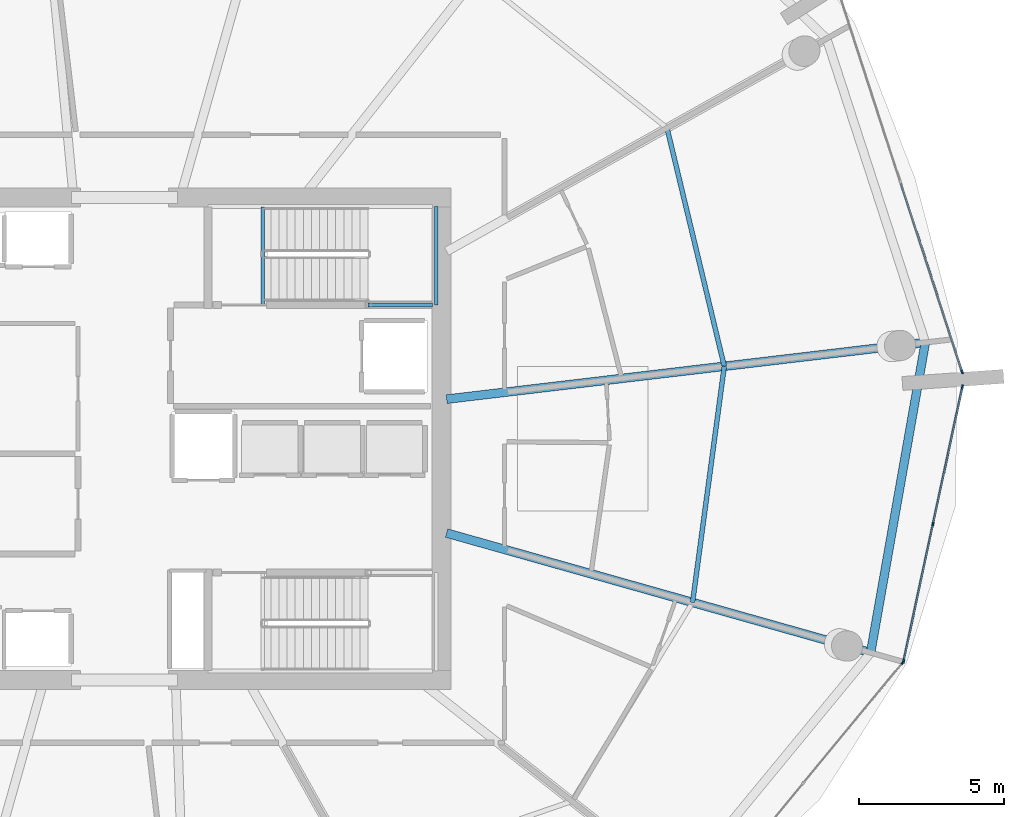
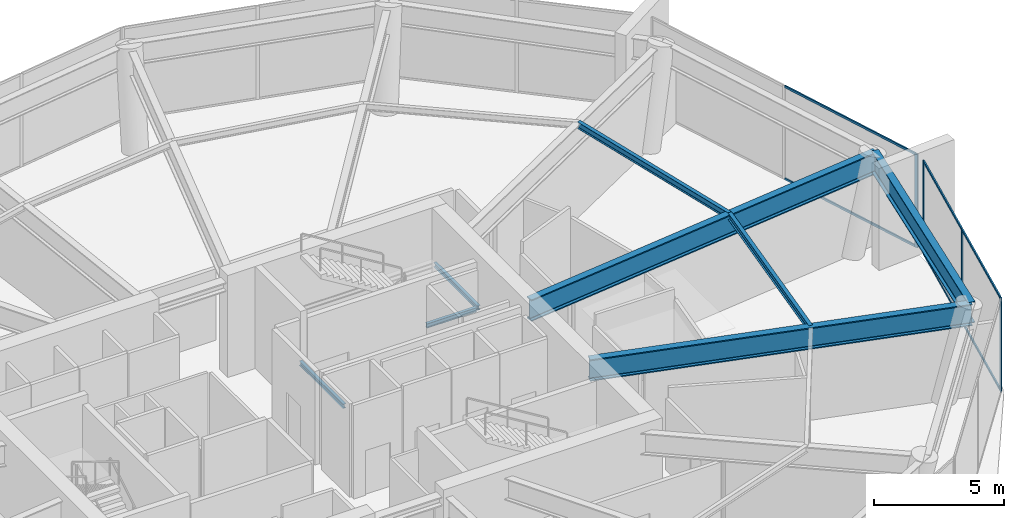
# One storey, part 10 of 22: 11 members, 8 beams, 3 elements without a shape of their own.
"""IFC4 building model written with IfcOpenShell, lengths in metres."""

from ifc_helpers import new_model, si_unit, direction, frame, origin, origin_2d, place, context, subcontext, project, spatial, rectangle, i_section, extrude, material, layer, layer_set, material_profile, profile_set, type_object, element, aggregate, save


model = new_model("IFC4")

# Units and contexts
model_context = context("Model", 3, precision=1e-05, world=origin(), true_north=direction((0.0, 1.0)))
body_context = subcontext(model_context, "Body", "Model", "MODEL_VIEW")
ifc_project = project(units=[si_unit("LENGTHUNIT", "METRE"), si_unit("AREAUNIT", "SQUARE_METRE"), si_unit("VOLUMEUNIT", "CUBIC_METRE"), si_unit("PLANEANGLEUNIT", "RADIAN"), si_unit("MASSUNIT", "GRAM", prefix="KILO")], contexts=[model_context])

# Site, building, storey
site_placement = place(None, origin())
site = spatial("IfcSite", under=ifc_project, at=site_placement, CompositionType="ELEMENT")
building_placement = place(site_placement, origin())
building = spatial("IfcBuilding", under=site, at=building_placement, Name="Kazma Halo Residences", CompositionType="ELEMENT")
storey_placement = place(building_placement, frame((0.0, 0.0, 231.89990234375)))
storey = spatial("IfcBuildingStorey", under=building, at=storey_placement, Name="L58", CompositionType="ELEMENT", Elevation=231.89990234375)

# Beams
ifc_material_1 = material(Name="Steel S355", Category="steel")
ifc_material_profile_1 = material_profile(ifc_material_1, i_section(OverallWidth=0.1650390625, OverallDepth=0.31005859375, WebThickness=0.005859375, FlangeThickness=0.009765625, FilletRadius=0.011962890625, at=origin_2d()), Name="W310x38.7")
ifc_profile_set_1 = profile_set([ifc_material_profile_1], Name="Steel S355")
beam_type_1 = type_object("IfcBeamType", Name="BM-SEC-W310B", PredefinedType="JOIST", material=ifc_profile_set_1)
beam_1_placement = place(storey_placement, frame((68.041748046875, 36.34765625, 4.2451171875), z_axis=(0.13314913066, 0.991096014019, 0.0), x_axis=(-0.991096014019, 0.13314913066, 0.0)))
element("IfcBeam", 1, at=beam_1_placement, inside=storey, type_object=beam_type_1, Name="L58 circumferential floor joist 15", PredefinedType="JOIST", context=body_context, shape_type="SweptSolid", body=[
    extrude(i_section(OverallWidth=0.1650390625, OverallDepth=0.31005859375, WebThickness=0.005859375, FlangeThickness=0.009765625, FilletRadius=0.011962890625, at=origin_2d()), origin(), (0.0, 0.0, 1.0), 8.227294921875),
])
beam_2_placement = place(storey_placement, frame((69.13720703125, 44.501708984375, 4.2451171875), z_axis=(-0.23365336492, 0.97231996023, 0.0), x_axis=(-0.97231996023, -0.23365336492, 0.0)))
element("IfcBeam", 2, at=beam_2_placement, inside=storey, type_object=beam_type_1, Name="L58 circumferential floor joist 16", PredefinedType="JOIST", context=body_context, shape_type="SweptSolid", body=[
    extrude(i_section(OverallWidth=0.1650390625, OverallDepth=0.31005859375, WebThickness=0.005859375, FlangeThickness=0.009765625, FilletRadius=0.011962890625, at=origin_2d()), origin(), (0.0, 0.0, 1.0), 8.46240234375),
])
ifc_material_profile_2 = material_profile(ifc_material_1, i_section(OverallWidth=0.302001953125, OverallDepth=1.01806640625, WebThickness=0.021484375, FlangeThickness=0.049072265625, FilletRadius=0.028076171875, at=origin_2d()), Name="W1000x443")
ifc_profile_set_2 = profile_set([ifc_material_profile_2], Name="Steel S355")
beam_type_2 = type_object("IfcBeamType", Name="BM-TRANS-W1000A", PredefinedType="BEAM", material=ifc_profile_set_2)
beam_3_placement = place(storey_placement, frame((59.550048828125, 38.74267578125, 3.89111328125), z_axis=(0.962451073676, -0.271455209528, 0.0), x_axis=(0.271455209528, 0.962451073676, 0.0)))
element("IfcBeam", 3, at=beam_3_placement, inside=storey, type_object=beam_type_2, Name="L58 podium radial transfer girder 15", PredefinedType="BEAM", context=body_context, shape_type="SweptSolid", body=[
    extrude(i_section(OverallWidth=0.302001953125, OverallDepth=1.01806640625, WebThickness=0.021484375, FlangeThickness=0.049072265625, FilletRadius=0.028076171875, at=origin_2d()), origin(), (0.0, 0.0, 1.0), 15.212158203125),
])
beam_4_placement = place(storey_placement, frame((59.550048828125, 43.366943359375, 3.89111328125), z_axis=(0.993067455077, 0.117545861975, 0.0), x_axis=(-0.117545861975, 0.993067455077, 0.0)))
element("IfcBeam", 4, at=beam_4_placement, inside=storey, type_object=beam_type_2, Name="L58 podium radial transfer girder 16", PredefinedType="BEAM", context=body_context, shape_type="SweptSolid", body=[
    extrude(i_section(OverallWidth=0.302001953125, OverallDepth=1.01806640625, WebThickness=0.021484375, FlangeThickness=0.049072265625, FilletRadius=0.028076171875, at=origin_2d()), origin(), (0.0, 0.0, 1.0), 16.64501953125),
])
ifc_material_profile_3 = material_profile(ifc_material_1, i_section(OverallWidth=0.300048828125, OverallDepth=1.0, WebThickness=0.01904296875, FlangeThickness=0.0400390625, FilletRadius=0.02587890625, at=origin_2d()), Name="W1000x371")
ifc_profile_set_3 = profile_set([ifc_material_profile_3], Name="Steel S355")
beam_type_3 = type_object("IfcBeamType", Name="BM-TRANS-W1000B", PredefinedType="BEAM", material=ifc_profile_set_3)
beam_5_placement = place(storey_placement, frame((74.19091796875, 34.61328125, 3.900146484375), z_axis=(0.173663672311, 0.984805020763, 0.0), x_axis=(-0.984805020763, 0.173663672311, 0.0)))
element("IfcBeam", 5, at=beam_5_placement, inside=storey, type_object=beam_type_3, Name="L58 perimeter ring beam 15", PredefinedType="BEAM", context=body_context, shape_type="SweptSolid", body=[
    extrude(i_section(OverallWidth=0.300048828125, OverallDepth=1.0, WebThickness=0.01904296875, FlangeThickness=0.0400390625, FilletRadius=0.02587890625, at=origin_2d()), origin(), (0.0, 0.0, 1.0), 10.87548828125),
])
ifc_material_profile_4 = material_profile(ifc_material_1, i_section(OverallWidth=0.133056640625, OverallDepth=0.20703125, WebThickness=0.005859375, FlangeThickness=0.00830078125, FilletRadius=0.010009765625, at=origin_2d()), Name="W200x26.6")
ifc_profile_set_4 = profile_set([ifc_material_profile_4], Name="Steel S355")
beam_type_4 = type_object("IfcBeamType", Name="BM-TRIM-W200", PredefinedType="BEAM", material=ifc_profile_set_4)
beam_6_placement = place(storey_placement, frame((53.199951171875, 46.6201171875, -0.429931640625), z_axis=(0.0, 1.0, 0.0), x_axis=(-1.0, 0.0, 0.0)))
element("IfcBeam", 6, at=beam_6_placement, inside=storey, type_object=beam_type_4, Name="L58 ST-02 floor landing support beam", PredefinedType="BEAM", context=body_context, shape_type="SweptSolid", body=[
    extrude(i_section(OverallWidth=0.133056640625, OverallDepth=0.20703125, WebThickness=0.005859375, FlangeThickness=0.00830078125, FilletRadius=0.010009765625, at=origin_2d()), origin(), (0.0, 0.0, 1.0), 3.3798828125),
])
beam_7_placement = place(storey_placement, frame((56.840087890625, 46.6201171875, 2.09521484375), z_axis=(1.0, 0.0, 0.0), x_axis=(0.0, 1.0, 0.0)))
element("IfcBeam", 7, at=beam_7_placement, inside=storey, type_object=beam_type_4, Name="L58 ST-02 landing south wall ledger", PredefinedType="BEAM", context=body_context, shape_type="SweptSolid", body=[
    extrude(i_section(OverallWidth=0.133056640625, OverallDepth=0.20703125, WebThickness=0.005859375, FlangeThickness=0.00830078125, FilletRadius=0.010009765625, at=origin_2d()), origin(), (0.0, 0.0, 1.0), 2.22998046875),
])
beam_8_placement = place(storey_placement, frame((59.18994140625, 46.6201171875, 2.09521484375), z_axis=(0.0, 1.0, 0.0), x_axis=(-1.0, 0.0, 0.0)))
element("IfcBeam", 8, at=beam_8_placement, inside=storey, type_object=beam_type_4, Name="L58 ST-02 landing end wall ledger", PredefinedType="BEAM", context=body_context, shape_type="SweptSolid", body=[
    extrude(i_section(OverallWidth=0.133056640625, OverallDepth=0.20703125, WebThickness=0.005859375, FlangeThickness=0.00830078125, FilletRadius=0.010009765625, at=origin_2d()), origin(), (0.0, 0.0, 1.0), 3.39990234375),
])

# Curtain wall, member
ifc_material_2 = material(Name="Aluminium AW-6063 T6 and Triple-Silver Low-E Glass", Category="aluminium")
ifc_layer = layer(ifc_material_2, 0.139892578125)
ifc_layer_set = layer_set([ifc_layer], Name="Aluminium AW-6063 T6 and Triple-Silver Low-E Glass")
curtain_wall_type = type_object("IfcCurtainWallType", Name="CW-SYS-5", PredefinedType="NOTDEFINED", material=ifc_layer_set)
curtain_wall_1_placement = place(storey_placement, origin())
curtain_wall_1 = element("IfcCurtainWall", 9, at=curtain_wall_1_placement, inside=storey, type_object=curtain_wall_type, Name="L58 unitised curtain wall B14", PredefinedType="NOTDEFINED")
ifc_material_3 = material(Name="Aluminium AW-6063 T6", Category="aluminium")
ifc_material_profile_5 = material_profile(ifc_material_3, rectangle(XDim=0.06005859375, YDim=0.139892578125, at=origin_2d()), Name="CWM-60x140")
ifc_profile_set_5 = profile_set([ifc_material_profile_5], Name="Aluminium AW-6063 T6")
member_type_1 = type_object("IfcMemberType", Name="CW-SYS-5-MUL", PredefinedType="MULLION", material=ifc_profile_set_5)
member_1_placement = place(storey_placement, frame((75.302978515625, 34.271240234375, 0.0), z_axis=(0.0, 0.0, 1.0), x_axis=(-0.77109198952, 0.636723757762, 0.0)))
member_1 = element("IfcMember", 10, at=member_1_placement, type_object=member_type_1, Name="CWS-5 mullion 3", PredefinedType="MULLION", context=body_context, shape_type="SweptSolid", body=[
    extrude(rectangle(XDim=0.06005859375, YDim=0.139892578125, at=origin_2d()), origin(), (0.0, 0.0, 1.0), 4.400146484375),
])
aggregate(curtain_wall_1, [member_1])

# Curtain wall, members
curtain_wall_2_placement = place(storey_placement, origin())
curtain_wall_2 = element("IfcCurtainWall", 11, at=curtain_wall_2_placement, inside=storey, type_object=curtain_wall_type, Name="L58 unitised curtain wall B15", PredefinedType="NOTDEFINED")
member_2_placement = place(storey_placement, frame((75.328369140625, 34.32373046875, 0.0), z_axis=(0.0, 0.0, 1.0), x_axis=(-0.977772667302, 0.209667858949, 0.0)))
member_2 = element("IfcMember", 12, at=member_2_placement, type_object=member_type_1, Name="CWS-5 mullion 1", PredefinedType="MULLION", context=body_context, shape_type="SweptSolid", body=[
    extrude(rectangle(XDim=0.06005859375, YDim=0.139892578125, at=origin_2d()), origin(), (0.0, 0.0, 1.0), 4.400146484375),
])
member_3_placement = place(storey_placement, frame((76.343505859375, 39.05810546875, 0.0), z_axis=(0.0, 0.0, 1.0), x_axis=(-0.977772667302, 0.209667858949, 0.0)))
member_3 = element("IfcMember", 13, at=member_3_placement, type_object=member_type_1, Name="CWS-5 mullion 2", PredefinedType="MULLION", context=body_context, shape_type="SweptSolid", body=[
    extrude(rectangle(XDim=0.06005859375, YDim=0.139892578125, at=origin_2d()), origin(), (0.0, 0.0, 1.0), 4.400146484375),
])
member_4_placement = place(storey_placement, frame((77.35888671875, 43.79248046875, 0.0), z_axis=(0.0, 0.0, 1.0), x_axis=(-0.977772667302, 0.209667858949, 0.0)))
member_4 = element("IfcMember", 14, at=member_4_placement, type_object=member_type_1, Name="CWS-5 mullion 3", PredefinedType="MULLION", context=body_context, shape_type="SweptSolid", body=[
    extrude(rectangle(XDim=0.06005859375, YDim=0.139892578125, at=origin_2d()), origin(), (0.0, 0.0, 1.0), 4.400146484375),
])

# Curtain wall, member
curtain_wall_3_placement = place(storey_placement, origin())
curtain_wall_3 = element("IfcCurtainWall", 15, at=curtain_wall_3_placement, inside=storey, type_object=curtain_wall_type, Name="L58 unitised curtain wall B16", PredefinedType="NOTDEFINED")
member_5_placement = place(storey_placement, frame((77.34814453125, 44.313232421875, 0.0), z_axis=(0.0, 0.0, 1.0), x_axis=(-0.951055583158, -0.309019866261, 0.0)))
member_5 = element("IfcMember", 16, at=member_5_placement, type_object=member_type_1, Name="CWS-5 mullion 1", PredefinedType="MULLION", context=body_context, shape_type="SweptSolid", body=[
    extrude(rectangle(XDim=0.06005859375, YDim=0.139892578125, at=origin_2d()), origin(), (0.0, 0.0, 1.0), 4.400146484375),
])

# Member
ifc_material_profile_6 = material_profile(ifc_material_3, rectangle(XDim=0.06005859375, YDim=0.10498046875, at=origin_2d()), Name="CWT-60x105")
ifc_profile_set_6 = profile_set([ifc_material_profile_6], Name="Aluminium AW-6063 T6")
member_type_2 = type_object("IfcMemberType", Name="CW-SYS-5-TRN", PredefinedType="USERDEFINED", material=ifc_profile_set_6)
member_6_placement = place(storey_placement, frame((75.334716796875, 34.35302734375, 0.030029296875), z_axis=(0.209675521922, 0.977771024068, 0.0), x_axis=(-0.977771024068, 0.209675521922, 0.0)))
member_6 = element("IfcMember", 17, at=member_6_placement, type_object=member_type_2, Name="CWS-5 transom 1.1", ObjectType="TRANSOM", PredefinedType="USERDEFINED", context=body_context, shape_type="SweptSolid", body=[
    extrude(rectangle(XDim=0.06005859375, YDim=0.10498046875, at=origin_2d()), origin(), (0.0, 0.0, 1.0), 4.781982421875),
])

member_7_placement = place(storey_placement, frame((75.334716796875, 34.35302734375, 4.3701171875), z_axis=(0.209675521922, 0.977771024068, 0.0), x_axis=(-0.977771024068, 0.209675521922, 0.0)))
member_7 = element("IfcMember", 18, at=member_7_placement, type_object=member_type_2, Name="CWS-5 transom 1.2", ObjectType="TRANSOM", PredefinedType="USERDEFINED", context=body_context, shape_type="SweptSolid", body=[
    extrude(rectangle(XDim=0.06005859375, YDim=0.10498046875, at=origin_2d()), origin(), (0.0, 0.0, 1.0), 4.781982421875),
])

member_8_placement = place(storey_placement, frame((76.349853515625, 39.08740234375, 0.030029296875), z_axis=(0.209675521922, 0.977771024068, 0.0), x_axis=(-0.977771024068, 0.209675521922, 0.0)))
member_8 = element("IfcMember", 19, at=member_8_placement, type_object=member_type_2, Name="CWS-5 transom 2.1", ObjectType="TRANSOM", PredefinedType="USERDEFINED", context=body_context, shape_type="SweptSolid", body=[
    extrude(rectangle(XDim=0.06005859375, YDim=0.10498046875, at=origin_2d()), origin(), (0.0, 0.0, 1.0), 4.781982421875),
])

member_9_placement = place(storey_placement, frame((76.349853515625, 39.08740234375, 4.3701171875), z_axis=(0.209675521922, 0.977771024068, 0.0), x_axis=(-0.977771024068, 0.209675521922, 0.0)))
member_9 = element("IfcMember", 20, at=member_9_placement, type_object=member_type_2, Name="CWS-5 transom 2.2", ObjectType="TRANSOM", PredefinedType="USERDEFINED", context=body_context, shape_type="SweptSolid", body=[
    extrude(rectangle(XDim=0.06005859375, YDim=0.10498046875, at=origin_2d()), origin(), (0.0, 0.0, 1.0), 4.781982421875),
])

aggregate(curtain_wall_2, [member_2, member_3, member_4, member_6, member_7, member_8, member_9])

member_10_placement = place(storey_placement, frame((77.3388671875, 44.341796875, 0.030029296875), z_axis=(-0.30900094264, 0.95106173167, 0.0), x_axis=(-0.95106173167, -0.30900094264, 0.0)))
member_10 = element("IfcMember", 21, at=member_10_placement, type_object=member_type_2, Name="CWS-5 transom 1.1", ObjectType="TRANSOM", PredefinedType="USERDEFINED", context=body_context, shape_type="SweptSolid", body=[
    extrude(rectangle(XDim=0.06005859375, YDim=0.10498046875, at=origin_2d()), origin(), (0.0, 0.0, 1.0), 6.80908203125),
])

member_11_placement = place(storey_placement, frame((77.3388671875, 44.341796875, 4.3701171875), z_axis=(-0.30900094264, 0.95106173167, 0.0), x_axis=(-0.95106173167, -0.30900094264, 0.0)))
member_11 = element("IfcMember", 22, at=member_11_placement, type_object=member_type_2, Name="CWS-5 transom 1.2", ObjectType="TRANSOM", PredefinedType="USERDEFINED", context=body_context, shape_type="SweptSolid", body=[
    extrude(rectangle(XDim=0.06005859375, YDim=0.10498046875, at=origin_2d()), origin(), (0.0, 0.0, 1.0), 6.80908203125),
])

aggregate(curtain_wall_3, [member_5, member_10, member_11])

save(model, "model.ifc")
